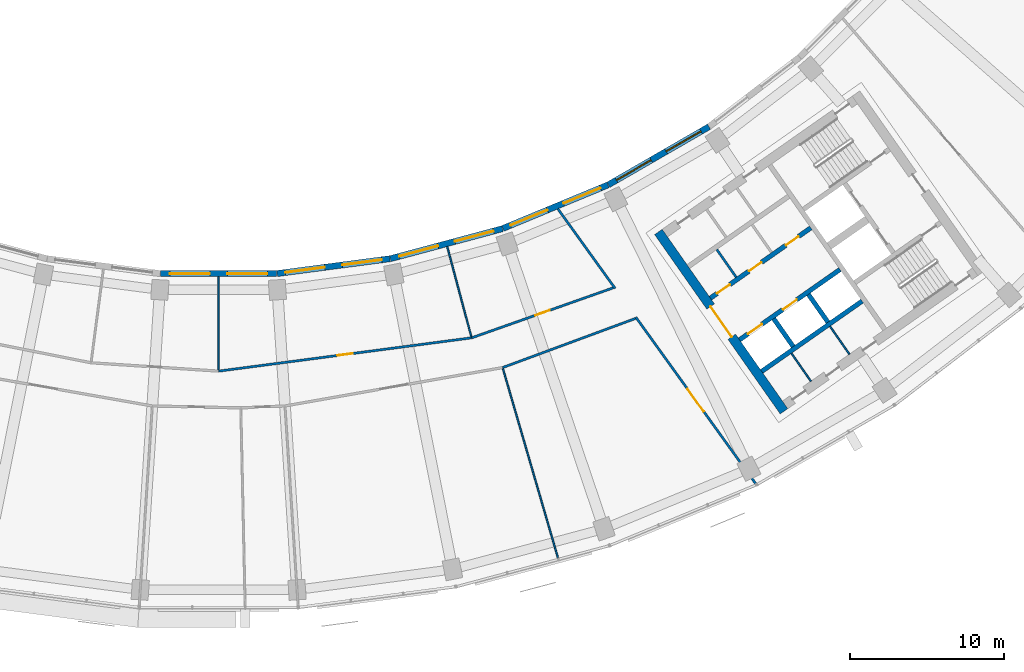
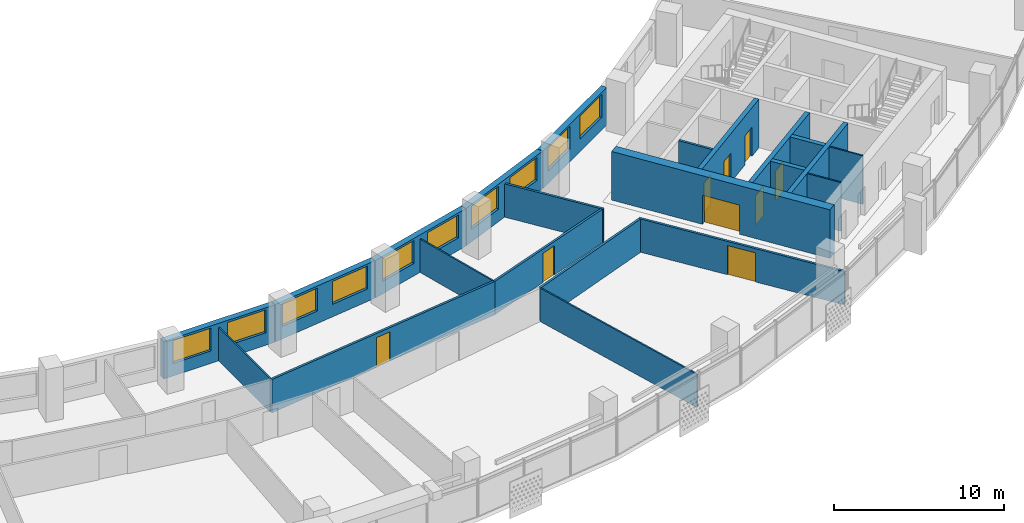
# One storey, part 6 of 27: 22 walls, 10 windows, 9 doors, 19 openings.
"""IFC4 building model written with IfcOpenShell, lengths in metres."""

from ifc_helpers import new_model, si_unit, direction, frame, frame_2d, origin, place, context, subcontext, project, spatial, rectangle, extrude, material, layer, layer_set, type_object, element, fill, save


model = new_model("IFC4")

# Units and contexts
model_context = context("Model", 3, precision=1e-05, world=origin(), true_north=direction((0.0, 1.0)))
body_context = subcontext(model_context, "Body", "Model", "MODEL_VIEW")
ifc_project = project(units=[si_unit("LENGTHUNIT", "METRE"), si_unit("AREAUNIT", "SQUARE_METRE"), si_unit("VOLUMEUNIT", "CUBIC_METRE"), si_unit("PLANEANGLEUNIT", "RADIAN"), si_unit("MASSUNIT", "GRAM", prefix="KILO")], contexts=[model_context])

# Site, building, storey
site_placement = place(None, origin())
site = spatial("IfcSite", under=ifc_project, at=site_placement, CompositionType="ELEMENT")
building_placement = place(site_placement, origin())
building = spatial("IfcBuilding", under=site, at=building_placement, Name="Qamariyya Broadcast Tower", CompositionType="ELEMENT")
storey_placement = place(building_placement, frame((0.0, 0.0, 175.89990234375)))
storey = spatial("IfcBuildingStorey", under=building, at=storey_placement, Name="L41", CompositionType="ELEMENT", Elevation=175.89990234375)

# Wall, opening, door
ifc_material_1 = material(Name="Concrete C60/75", Category="concrete")
ifc_layer_1 = layer(ifc_material_1, 0.60009765625)
ifc_layer_set_1 = layer_set([ifc_layer_1], Name="Core wall 600 mm Concrete C60/75")
wall_type_1 = type_object("IfcWallType", Name="Core wall 600 mm Concrete C60/75", PredefinedType="SHEAR", material=ifc_layer_set_1)
wall_1_placement = place(storey_placement, frame((36.66748046875, -66.005126953125, 0.0), z_axis=(0.0, 0.0, 1.0), x_axis=(-0.573568499524, 0.819157601658, 0.0)))
wall_1 = element("IfcWall", 1, at=wall_1_placement, inside=storey, type_object=wall_type_1, Name="k-E-L41-WA", PredefinedType="SHEAR", context=body_context, shape_type="SweptSolid", body=[
    extrude(rectangle(XDim=14.19970703125, YDim=0.60009765625, at=frame_2d((7.099853515625, 0.0))), origin(), (0.0, 0.0, 1.0), 3.5),
])
opening_1_placement = place(wall_1_placement, frame((5.89990234375, 0.0, 0.0)))
opening_1 = element("IfcOpeningElement", 2, at=opening_1_placement, cuts=wall_1, Name="Opening KD3-E1", PredefinedType="OPENING", context=body_context, shape_type="SweptSolid", body=[
    extrude(rectangle(XDim=2.39990234375, YDim=2.10009765625, at=frame_2d((1.199951171875, 1.050048828125))), frame((0.0, 0.31005859375, 0.0), z_axis=(0.0, -1.0, 0.0), x_axis=(1.0, 0.0, 0.0)), (0.0, 0.0, 1.0), 0.6201171875),
])
ifc_material_2 = material(Name="Steel fire-resisting door leaf", Category="steel")
door_type_1 = type_object("IfcDoorType", Name="Lift lobby door KD3", OperationType="DOUBLE_DOOR_SINGLE_SWING", PredefinedType="DOOR", material=ifc_material_2)
door_1_placement = place(opening_1_placement, origin())
door_1 = element("IfcDoor", 3, at=door_1_placement, inside=storey, type_object=door_type_1, Name="k-E-L41-WA-D1", OperationType="DOUBLE_DOOR_SINGLE_SWING", OverallHeight=2.10009765625, OverallWidth=2.39990234375, PredefinedType="DOOR", context=body_context, shape_type="SweptSolid", body=[
    extrude(rectangle(XDim=2.39990234375, YDim=2.10009765625, at=frame_2d((1.199951171875, 1.050048828125))), frame((0.0, 0.02490234375, 0.0), z_axis=(0.0, -1.0, 0.0), x_axis=(1.0, 0.0, 0.0)), (0.0, 0.0, 1.0), 0.050048828125),
])
fill(opening_1, door_1)

ifc_material_3 = material(Name="Gypsum board partition")
ifc_layer_2 = layer(ifc_material_3, 0.14990234375)
ifc_layer_set_2 = layer_set([ifc_layer_2], Name="Corridor partition 150 EI 60")
wall_type_2 = type_object("IfcWallType", Name="Corridor partition 150 EI 60", PredefinedType="PARTITIONING", material=ifc_layer_set_2)
wall_2_placement = place(storey_placement, frame((0.0, -63.39990234375, 0.0), z_axis=(0.0, 0.0, 1.0), x_axis=(0.991446059502, 0.130517091211, 0.0)))
wall_2 = element("IfcWall", 4, at=wall_2_placement, inside=storey, type_object=wall_type_2, Name="Partition L41-015", PredefinedType="PARTITIONING", context=body_context, shape_type="SweptSolid", body=[
    extrude(rectangle(XDim=16.55078125, YDim=0.14990234375, at=frame_2d((8.275390625, 0.0))), origin(), (0.0, 0.0, 1.0), 2.400146484375),
])
opening_2_placement = place(wall_2_placement, frame((7.775390625, 0.0, 0.0)))
opening_2 = element("IfcOpeningElement", 5, at=opening_2_placement, cuts=wall_2, Name="Opening L41-D10", PredefinedType="OPENING", context=body_context, shape_type="SweptSolid", body=[
    extrude(rectangle(XDim=1.0, YDim=2.10009765625, at=frame_2d((0.5, 1.050048828125))), frame((0.0, 0.0849609375, 0.0), z_axis=(0.0, -1.0, 0.0), x_axis=(1.0, 0.0, 0.0)), (0.0, 0.0, 1.0), 0.169921875),
])
ifc_material_4 = material(Name="Timber fire door leaf", Category="wood")
door_type_2 = type_object("IfcDoorType", Name="Fire door 1000 x 2100 FD60", OperationType="NOTDEFINED", PredefinedType="DOOR", material=ifc_material_4)
door_2_placement = place(opening_2_placement, origin())
door_2 = element("IfcDoor", 6, at=door_2_placement, inside=storey, type_object=door_type_2, Name="Door L41-D10", OperationType="SINGLE_SWING_RIGHT", OverallHeight=2.10009765625, OverallWidth=1.0, PredefinedType="DOOR", context=body_context, shape_type="SweptSolid", body=[
    extrude(rectangle(XDim=1.0, YDim=2.10009765625, at=frame_2d((0.5, 1.050048828125))), frame((0.0, 0.02490234375, 0.0), z_axis=(0.0, -1.0, 0.0), x_axis=(1.0, 0.0, 0.0)), (0.0, 0.0, 1.0), 0.050048828125),
])
fill(opening_2, door_2)

wall_3_placement = place(storey_placement, frame((16.4091796875, -61.23974609375, 0.0), z_axis=(0.0, 0.0, 1.0), x_axis=(0.942977382292, 0.332856810785, 0.0)))
wall_3 = element("IfcWall", 7, at=wall_3_placement, inside=storey, type_object=wall_type_2, Name="Partition L41-022", PredefinedType="PARTITIONING", context=body_context, shape_type="SweptSolid", body=[
    extrude(rectangle(XDim=9.744873046875, YDim=0.14990234375, at=frame_2d((4.87255859375, 0.0))), origin(), (0.0, 0.0, 1.0), 2.400146484375),
])
opening_3_placement = place(wall_3_placement, frame((4.37255859375, 0.0, 0.0)))
opening_3 = element("IfcOpeningElement", 8, at=opening_3_placement, cuts=wall_3, Name="Opening L41-D11", PredefinedType="OPENING", context=body_context, shape_type="SweptSolid", body=[
    extrude(rectangle(XDim=1.0, YDim=2.10009765625, at=frame_2d((0.5, 1.050048828125))), frame((0.0, 0.0849609375, 0.0), z_axis=(0.0, -1.0, 0.0), x_axis=(1.0, 0.0, 0.0)), (0.0, 0.0, 1.0), 0.169921875),
])
door_3_placement = place(opening_3_placement, origin())
door_3 = element("IfcDoor", 9, at=door_3_placement, inside=storey, type_object=door_type_2, Name="Door L41-D11", OperationType="SINGLE_SWING_RIGHT", OverallHeight=2.10009765625, OverallWidth=1.0, PredefinedType="DOOR", context=body_context, shape_type="SweptSolid", body=[
    extrude(rectangle(XDim=1.0, YDim=2.10009765625, at=frame_2d((0.5, 1.050048828125))), frame((0.0, 0.02490234375, 0.0), z_axis=(0.0, -1.0, 0.0), x_axis=(1.0, 0.0, 0.0)), (0.0, 0.0, 1.0), 0.050048828125),
])
fill(opening_3, door_3)

# Walls
wall_4_placement = place(storey_placement, frame((18.41455078125, -63.170654296875, 0.0), z_axis=(0.0, 0.0, 1.0), x_axis=(0.93796819355, 0.346721311557, 0.0)))
element("IfcWall", 10, at=wall_4_placement, inside=storey, type_object=wall_type_2, Name="Partition L41-023", PredefinedType="PARTITIONING", context=body_context, shape_type="SweptSolid", body=[
    extrude(rectangle(XDim=9.185546875, YDim=0.14990234375, at=frame_2d((4.5927734375, 0.0))), origin(), (0.0, 0.0, 1.0), 2.400146484375),
])
wall_5_placement = place(storey_placement, frame((22.0, -52.873046875, 0.0), z_axis=(0.0, 0.0, 1.0), x_axis=(0.58417014289, -0.811631224236, 0.0)))
element("IfcWall", 11, at=wall_5_placement, inside=storey, type_object=wall_type_2, Name="Partition L41-024", PredefinedType="PARTITIONING", context=body_context, shape_type="SweptSolid", body=[
    extrude(rectangle(XDim=6.356201171875, YDim=0.14990234375, at=frame_2d((3.17822265625, 0.0))), origin(), (0.0, 0.0, 1.0), 2.400146484375),
])

# Wall, opening, door
wall_6_placement = place(storey_placement, frame((34.823974609375, -70.690673828125, 0.0), z_axis=(0.0, 0.0, 1.0), x_axis=(-0.584166374063, 0.81163393683, 0.0)))
wall_6 = element("IfcWall", 12, at=wall_6_placement, inside=storey, type_object=wall_type_2, Name="Partition L41-026", PredefinedType="PARTITIONING", context=body_context, shape_type="SweptSolid", body=[
    extrude(rectangle(XDim=13.296142578125, YDim=0.14990234375, at=frame_2d((6.64794921875, 0.0))), origin(), (0.0, 0.0, 1.0), 2.400146484375),
])
opening_4_placement = place(wall_6_placement, frame((5.748046875, 0.0, 0.0)))
opening_4 = element("IfcOpeningElement", 13, at=opening_4_placement, cuts=wall_6, Name="Opening L41-D07", PredefinedType="OPENING", context=body_context, shape_type="SweptSolid", body=[
    extrude(rectangle(XDim=1.800048828125, YDim=2.10009765625, at=frame_2d((0.89990234375, 1.050048828125))), frame((0.0, 0.0849609375, 0.0), z_axis=(0.0, -1.0, 0.0), x_axis=(1.0, 0.0, 0.0)), (0.0, 0.0, 1.0), 0.169921875),
])
door_type_3 = type_object("IfcDoorType", Name="Double fire door 1800 x 2100 FD60", OperationType="NOTDEFINED", PredefinedType="DOOR", material=ifc_material_4)
door_4_placement = place(opening_4_placement, origin())
door_4 = element("IfcDoor", 14, at=door_4_placement, inside=storey, type_object=door_type_3, Name="Door L41-D07", OperationType="DOUBLE_DOOR_SINGLE_SWING", OverallHeight=2.10009765625, OverallWidth=1.800048828125, PredefinedType="DOOR", context=body_context, shape_type="SweptSolid", body=[
    extrude(rectangle(XDim=1.800048828125, YDim=2.10009765625, at=frame_2d((0.89990234375, 1.050048828125))), frame((0.0, 0.02490234375, 0.0), z_axis=(0.0, -1.0, 0.0), x_axis=(1.0, 0.0, 0.0)), (0.0, 0.0, 1.0), 0.050048828125),
])
fill(opening_4, door_4)

# Wall
ifc_material_5 = material(Name="Gypsum board partition on steel studs", Category="steel")
ifc_layer_3 = layer(ifc_material_5, 0.14990234375)
ifc_layer_set_3 = layer_set([ifc_layer_3], Name="Gypsum board partition 150 mm")
wall_type_3 = type_object("IfcWallType", Name="Gypsum board partition 150 mm", PredefinedType="PARTITIONING", material=ifc_layer_set_3)
wall_7_placement = place(storey_placement, frame((33.569580078125, -57.3095703125, 0.0), z_axis=(0.0, 0.0, 1.0), x_axis=(-0.573507030513, 0.819200638399, 0.0)))
element("IfcWall", 15, at=wall_7_placement, inside=storey, type_object=wall_type_3, Name="k-E-L41-NC215", PredefinedType="PARTITIONING", context=body_context, shape_type="SweptSolid", body=[
    extrude(rectangle(XDim=2.199951171875, YDim=0.14990234375, at=frame_2d((1.10009765625, 0.0))), origin(), (0.0, 0.0, 1.0), 3.5),
])

# Wall, openings, doors
ifc_layer_4 = layer(ifc_material_1, 0.300048828125)
ifc_layer_set_4 = layer_set([ifc_layer_4], Name="Lift shaft wall 300 mm Concrete C60/75")
wall_type_4 = type_object("IfcWallType", Name="Lift shaft wall 300 mm Concrete C60/75", PredefinedType="SOLIDWALL", material=ifc_layer_set_4)
wall_8_placement = place(storey_placement, frame((31.89453125, -58.66552734375, 0.0), z_axis=(0.0, 0.0, 1.0), x_axis=(0.819166993208, 0.573555086491, 0.0)))
wall_8 = element("IfcWall", 16, at=wall_8_placement, inside=storey, type_object=wall_type_4, Name="k-E-L41-NF0", PredefinedType="SOLIDWALL", context=body_context, shape_type="SweptSolid", body=[
    extrude(rectangle(XDim=7.9501953125, YDim=0.300048828125, at=frame_2d((3.97509765625, 0.0))), origin(), (0.0, 0.0, 1.0), 3.5),
])
opening_5_placement = place(wall_8_placement, frame((0.53759765625, 0.0, 0.0)))
opening_5 = element("IfcOpeningElement", 17, at=opening_5_placement, cuts=wall_8, Name="Opening KD6-E1", PredefinedType="OPENING", context=body_context, shape_type="SweptSolid", body=[
    extrude(rectangle(XDim=1.0, YDim=2.10009765625, at=frame_2d((0.5, 1.050048828125))), frame((0.0, 0.159912109375, 0.0), z_axis=(0.0, -1.0, 0.0), x_axis=(1.0, 0.0, 0.0)), (0.0, 0.0, 1.0), 0.320068359375),
])
opening_6_placement = place(wall_8_placement, frame((3.050048828125, 0.0, 0.0)))
opening_6 = element("IfcOpeningElement", 18, at=opening_6_placement, cuts=wall_8, Name="Opening KD6-E2", PredefinedType="OPENING", context=body_context, shape_type="SweptSolid", body=[
    extrude(rectangle(XDim=1.0, YDim=2.10009765625, at=frame_2d((0.5, 1.050048828125))), frame((0.0, 0.159912109375, 0.0), z_axis=(0.0, -1.0, 0.0), x_axis=(1.0, 0.0, 0.0)), (0.0, 0.0, 1.0), 0.320068359375),
])
opening_7_placement = place(wall_8_placement, frame((5.987548828125, 0.0, 0.0)))
opening_7 = element("IfcOpeningElement", 19, at=opening_7_placement, cuts=wall_8, Name="Opening KD4-E1", PredefinedType="OPENING", context=body_context, shape_type="SweptSolid", body=[
    extrude(rectangle(XDim=1.0, YDim=2.10009765625, at=frame_2d((0.5, 1.050048828125))), frame((0.0, 0.159912109375, 0.0), z_axis=(0.0, -1.0, 0.0), x_axis=(1.0, 0.0, 0.0)), (0.0, 0.0, 1.0), 0.320068359375),
])
door_type_4 = type_object("IfcDoorType", Name="Core room door KD6", OperationType="SINGLE_SWING_LEFT", PredefinedType="DOOR", material=ifc_material_2)
door_5_placement = place(opening_5_placement, origin())
door_5 = element("IfcDoor", 20, at=door_5_placement, inside=storey, type_object=door_type_4, Name="k-E-L41-NF0-D2", OperationType="SINGLE_SWING_RIGHT", OverallHeight=2.10009765625, OverallWidth=1.0, PredefinedType="DOOR", context=body_context, shape_type="SweptSolid", body=[
    extrude(rectangle(XDim=1.0, YDim=2.10009765625, at=frame_2d((0.5, 1.050048828125))), frame((0.0, 0.02490234375, 0.0), z_axis=(0.0, -1.0, 0.0), x_axis=(1.0, 0.0, 0.0)), (0.0, 0.0, 1.0), 0.050048828125),
])
fill(opening_5, door_5)
door_6_placement = place(opening_6_placement, origin())
door_6 = element("IfcDoor", 21, at=door_6_placement, inside=storey, type_object=door_type_4, Name="k-E-L41-NF0-D3", OperationType="SINGLE_SWING_LEFT", OverallHeight=2.10009765625, OverallWidth=1.0, PredefinedType="DOOR", context=body_context, shape_type="SweptSolid", body=[
    extrude(rectangle(XDim=1.0, YDim=2.10009765625, at=frame_2d((0.5, 1.050048828125))), frame((0.0, 0.02490234375, 0.0), z_axis=(0.0, -1.0, 0.0), x_axis=(1.0, 0.0, 0.0)), (0.0, 0.0, 1.0), 0.050048828125),
])
fill(opening_6, door_6)
door_type_5 = type_object("IfcDoorType", Name="Riser and plant door KD4", OperationType="SINGLE_SWING_LEFT", PredefinedType="DOOR", material=ifc_material_2)
door_7_placement = place(opening_7_placement, origin())
door_7 = element("IfcDoor", 22, at=door_7_placement, inside=storey, type_object=door_type_5, Name="k-E-L41-NF0-D4", OperationType="SINGLE_SWING_RIGHT", OverallHeight=2.10009765625, OverallWidth=1.0, PredefinedType="DOOR", context=body_context, shape_type="SweptSolid", body=[
    extrude(rectangle(XDim=1.0, YDim=2.10009765625, at=frame_2d((0.5, 1.050048828125))), frame((0.0, 0.02490234375, 0.0), z_axis=(0.0, -1.0, 0.0), x_axis=(1.0, 0.0, 0.0)), (0.0, 0.0, 1.0), 0.050048828125),
])
fill(opening_7, door_7)

wall_9_placement = place(storey_placement, frame((33.787353515625, -61.368896484375, 0.0), z_axis=(0.0, 0.0, 1.0), x_axis=(0.819152564888, 0.573575692858, 0.0)))
wall_9 = element("IfcWall", 23, at=wall_9_placement, inside=storey, type_object=wall_type_4, Name="k-E-L41-SF0", PredefinedType="SOLIDWALL", context=body_context, shape_type="SweptSolid", body=[
    extrude(rectangle(XDim=7.9501953125, YDim=0.300048828125, at=frame_2d((3.97509765625, 0.0))), origin(), (0.0, 0.0, 1.0), 3.5),
])
opening_8_placement = place(wall_9_placement, frame((0.675048828125, 0.0, 0.0)))
opening_8 = element("IfcOpeningElement", 24, at=opening_8_placement, cuts=wall_9, Name="Opening LD", PredefinedType="OPENING", context=body_context, shape_type="SweptSolid", body=[
    extrude(rectangle(XDim=1.10009765625, YDim=2.10009765625, at=frame_2d((0.550048828125, 1.050048828125))), frame((0.0, 0.159912109375, 0.0), z_axis=(0.0, -1.0, 0.0), x_axis=(1.0, 0.0, 0.0)), (0.0, 0.0, 1.0), 0.320068359375),
])
opening_9_placement = place(wall_9_placement, frame((3.425048828125, 0.0, 0.0)))
opening_9 = element("IfcOpeningElement", 25, at=opening_9_placement, cuts=wall_9, Name="Opening LD", PredefinedType="OPENING", context=body_context, shape_type="SweptSolid", body=[
    extrude(rectangle(XDim=1.10009765625, YDim=2.10009765625, at=frame_2d((0.550048828125, 1.050048828125))), frame((0.0, 0.159912109375, 0.0), z_axis=(0.0, -1.0, 0.0), x_axis=(1.0, 0.0, 0.0)), (0.0, 0.0, 1.0), 0.320068359375),
])
door_type_6 = type_object("IfcDoorType", Name="Lift landing door LD", OperationType="DOUBLE_DOOR_SLIDING", PredefinedType="DOOR", material=ifc_material_2)
door_8_placement = place(opening_8_placement, origin())
door_8 = element("IfcDoor", 26, at=door_8_placement, inside=storey, type_object=door_type_6, Name="k-E-L41-SF0-D5", OperationType="DOUBLE_DOOR_SLIDING", OverallHeight=2.10009765625, OverallWidth=1.10009765625, PredefinedType="DOOR", context=body_context, shape_type="SweptSolid", body=[
    extrude(rectangle(XDim=1.10009765625, YDim=2.10009765625, at=frame_2d((0.550048828125, 1.050048828125))), frame((0.0, 0.02490234375, 0.0), z_axis=(0.0, -1.0, 0.0), x_axis=(1.0, 0.0, 0.0)), (0.0, 0.0, 1.0), 0.050048828125),
])
fill(opening_8, door_8)
door_9_placement = place(opening_9_placement, origin())
door_9 = element("IfcDoor", 27, at=door_9_placement, inside=storey, type_object=door_type_6, Name="k-E-L41-SF0-D6", OperationType="DOUBLE_DOOR_SLIDING", OverallHeight=2.10009765625, OverallWidth=1.10009765625, PredefinedType="DOOR", context=body_context, shape_type="SweptSolid", body=[
    extrude(rectangle(XDim=1.10009765625, YDim=2.10009765625, at=frame_2d((0.550048828125, 1.050048828125))), frame((0.0, 0.02490234375, 0.0), z_axis=(0.0, -1.0, 0.0), x_axis=(1.0, 0.0, 0.0)), (0.0, 0.0, 1.0), 0.050048828125),
])
fill(opening_9, door_9)

# Walls
wall_10_placement = place(storey_placement, frame((35.22119140625, -63.41650390625, 0.0), z_axis=(0.0, 0.0, 1.0), x_axis=(0.819166993208, 0.573555086491, 0.0)))
element("IfcWall", 28, at=wall_10_placement, inside=storey, type_object=wall_type_4, Name="k-E-L41-SB0", PredefinedType="SOLIDWALL", context=body_context, shape_type="SweptSolid", body=[
    extrude(rectangle(XDim=7.9501953125, YDim=0.300048828125, at=frame_2d((3.97509765625, 0.0))), origin(), (0.0, 0.0, 1.0), 3.5),
])
wall_11_placement = place(storey_placement, frame((36.003173828125, -60.000244140625, 0.0), z_axis=(0.0, 0.0, 1.0), x_axis=(0.573581496053, -0.819148501424, 0.0)))
element("IfcWall", 29, at=wall_11_placement, inside=storey, type_object=wall_type_4, Name="k-E-L41-SD0", PredefinedType="SOLIDWALL", context=body_context, shape_type="SweptSolid", body=[
    extrude(rectangle(XDim=2.2001953125, YDim=0.300048828125, at=frame_2d((1.10009765625, 0.0))), origin(), (0.0, 0.0, 1.0), 3.5),
])
wall_12_placement = place(storey_placement, frame((38.255859375, -58.423095703125, 0.0), z_axis=(0.0, 0.0, 1.0), x_axis=(0.573633636671, -0.819111989218, 0.0)))
element("IfcWall", 30, at=wall_12_placement, inside=storey, type_object=wall_type_4, Name="k-E-L41-SD1", PredefinedType="SOLIDWALL", context=body_context, shape_type="SweptSolid", body=[
    extrude(rectangle(XDim=2.199951171875, YDim=0.300048828125, at=frame_2d((1.10009765625, 0.0))), origin(), (0.0, 0.0, 1.0), 3.5),
])
ifc_layer_5 = layer(ifc_material_3, 0.10009765625)
ifc_layer_set_5 = layer_set([ifc_layer_5], Name="Partition 100")
wall_type_5 = type_object("IfcWallType", Name="Partition 100", PredefinedType="PARTITIONING", material=ifc_layer_set_5)
wall_13_placement = place(storey_placement, frame((0.0, -57.278076171875, 0.0), z_axis=(0.0, 0.0, 1.0), x_axis=(0.0, -1.0, 0.0)))
element("IfcWall", 31, at=wall_13_placement, inside=storey, type_object=wall_type_5, Name="Partition L41-016", PredefinedType="PARTITIONING", context=body_context, shape_type="SweptSolid", body=[
    extrude(rectangle(XDim=6.046875, YDim=0.10009765625, at=frame_2d((3.0234375, 0.0))), origin(), (0.0, 0.0, 1.0), 2.400146484375),
])
wall_14_placement = place(storey_placement, frame((14.82470703125, -55.326171875, 0.0), z_axis=(0.0, 0.0, 1.0), x_axis=(0.258793263352, -0.965932734119, 0.0)))
element("IfcWall", 32, at=wall_14_placement, inside=storey, type_object=wall_type_5, Name="Partition L41-021", PredefinedType="PARTITIONING", context=body_context, shape_type="SweptSolid", body=[
    extrude(rectangle(XDim=6.047119140625, YDim=0.10009765625, at=frame_2d((3.0234375, 0.0))), origin(), (0.0, 0.0, 1.0), 2.400146484375),
])
wall_15_placement = place(storey_placement, frame((22.010498046875, -75.507080078125, 0.0), z_axis=(0.0, 0.0, 1.0), x_axis=(-0.279843682865, 0.960045578689, 0.0)))
element("IfcWall", 33, at=wall_15_placement, inside=storey, type_object=wall_type_5, Name="Partition L41-025", PredefinedType="PARTITIONING", context=body_context, shape_type="SweptSolid", body=[
    extrude(rectangle(XDim=12.77490234375, YDim=0.10009765625, at=frame_2d((6.387451171875, 0.0))), origin(), (0.0, 0.0, 1.0), 2.400146484375),
])
ifc_material_6 = material(Name="Fire-rated gypsum shaft liner on steel studs", Category="steel")
ifc_layer_6 = layer(ifc_material_6, 0.10009765625)
ifc_layer_set_6 = layer_set([ifc_layer_6], Name="Riser wall 100 mm")
wall_type_6 = type_object("IfcWallType", Name="Riser wall 100 mm", PredefinedType="PLUMBINGWALL", material=ifc_layer_set_6)
for number, where, z_axis, x_axis, name in (
    (34, (37.150390625, -62.2490234375, 0.0), (0.0, 0.0, 1.0), (0.573633636671, -0.819111989218, 0.0), "k-E-L41-SP225"),
    (35, (39.64892578125, -60.49951171875, 0.0), (0.0, 0.0, 1.0), (0.573507030513, -0.819200638399, 0.0), "k-E-L41-SP530"),
):
    element("IfcWall", number, at=place(storey_placement, frame(where, z_axis=z_axis, x_axis=x_axis)), inside=storey, type_object=wall_type_6, Name=name, PredefinedType="PLUMBINGWALL", context=body_context, shape_type="SweptSolid", body=[
        extrude(rectangle(XDim=2.199951171875, YDim=0.10009765625, at=frame_2d((1.10009765625, 0.0))), origin(), (0.0, 0.0, 1.0), 3.5),
    ])

# Wall, openings, windows
ifc_material_7 = material(Name="Terracotta", Category="masonry")
ifc_layer_7 = layer(ifc_material_7, 0.39990234375)
ifc_layer_set_7 = layer_set([ifc_layer_7], Name="Terracotta clad wall 400")
wall_type_7 = type_object("IfcWallType", Name="Terracotta clad wall 400", PredefinedType="SOLIDWALL", material=ifc_layer_set_7)
wall_16_placement = place(storey_placement, frame((25.252197265625, -51.32080078125, 0.0), z_axis=(0.0, 0.0, 1.0), x_axis=(-0.923867659443, -0.382712095229, 0.0)))
wall_16 = element("IfcWall", 36, at=wall_16_placement, inside=storey, type_object=wall_type_7, Name="e-wl-L41-in100", PredefinedType="SOLIDWALL", context=body_context, shape_type="SweptSolid", body=[
    extrude(rectangle(XDim=7.380859375, YDim=0.39990234375, at=frame_2d((3.6904296875, 0.0))), origin(), (0.0, 0.0, 1.0), 2.7001953125),
])
opening_10_placement = place(wall_16_placement, frame((4.25439453125, 0.0, 0.89990234375)))
opening_10 = element("IfcOpeningElement", 37, at=opening_10_placement, cuts=wall_16, Name="Opening W1", PredefinedType="OPENING", context=body_context, shape_type="SweptSolid", body=[
    extrude(rectangle(XDim=2.60009765625, YDim=1.64990234375, at=frame_2d((1.300048828125, 0.824951171875))), frame((0.0, 0.2099609375, 0.0), z_axis=(0.0, -1.0, 0.0), x_axis=(1.0, 0.0, 0.0)), (0.0, 0.0, 1.0), 0.419921875),
])
opening_11_placement = place(wall_16_placement, frame((0.5263671875, 0.0, 0.89990234375)))
opening_11 = element("IfcOpeningElement", 38, at=opening_11_placement, cuts=wall_16, Name="Opening W1", PredefinedType="OPENING", context=body_context, shape_type="SweptSolid", body=[
    extrude(rectangle(XDim=2.60009765625, YDim=1.64990234375, at=frame_2d((1.300048828125, 0.824951171875))), frame((0.0, 0.2099609375, 0.0), z_axis=(0.0, -1.0, 0.0), x_axis=(1.0, 0.0, 0.0)), (0.0, 0.0, 1.0), 0.419921875),
])
ifc_material_8 = material(Name="Clear low-e double glazed unit in aluminium frame", Category="aluminium")
window_type = type_object("IfcWindowType", Name="Ribbon window 2600 x 1650", PartitioningType="SINGLE_PANEL", PredefinedType="WINDOW", material=ifc_material_8)
window_1_placement = place(opening_10_placement, origin())
window_1 = element("IfcWindow", 39, at=window_1_placement, inside=storey, type_object=window_type, Name="e-w-L41-in10-0", OverallHeight=1.64990234375, OverallWidth=2.60009765625, PartitioningType="SINGLE_PANEL", PredefinedType="WINDOW", context=body_context, shape_type="SweptSolid", body=[
    extrude(rectangle(XDim=2.60009765625, YDim=1.64990234375, at=frame_2d((1.300048828125, 0.824951171875))), frame((0.0, 0.030029296875, 0.0), z_axis=(0.0, -1.0, 0.0), x_axis=(1.0, 0.0, 0.0)), (0.0, 0.0, 1.0), 0.06005859375),
])
fill(opening_10, window_1)
window_2_placement = place(opening_11_placement, origin())
window_2 = element("IfcWindow", 40, at=window_2_placement, inside=storey, type_object=window_type, Name="e-w-L41-in10-1", OverallHeight=1.64990234375, OverallWidth=2.60009765625, PartitioningType="SINGLE_PANEL", PredefinedType="WINDOW", context=body_context, shape_type="SweptSolid", body=[
    extrude(rectangle(XDim=2.60009765625, YDim=1.64990234375, at=frame_2d((1.300048828125, 0.824951171875))), frame((0.0, 0.030029296875, 0.0), z_axis=(0.0, -1.0, 0.0), x_axis=(1.0, 0.0, 0.0)), (0.0, 0.0, 1.0), 0.06005859375),
])
fill(opening_11, window_2)

wall_17_placement = place(storey_placement, frame((31.800537109375, -47.5478515625, 0.0), z_axis=(0.0, 0.0, 1.0), x_axis=(-0.866028517328, -0.499994607145, 0.0)))
wall_17 = element("IfcWall", 41, at=wall_17_placement, inside=storey, type_object=wall_type_7, Name="e-wl-L41-in110", PredefinedType="SOLIDWALL", context=body_context, shape_type="SweptSolid", body=[
    extrude(rectangle(XDim=7.5322265625, YDim=0.39990234375, at=frame_2d((3.76611328125, 0.0))), origin(), (0.0, 0.0, 1.0), 2.7001953125),
])
opening_12_placement = place(wall_17_placement, frame((4.330078125, 0.0, 0.89990234375)))
opening_12 = element("IfcOpeningElement", 42, at=opening_12_placement, cuts=wall_17, Name="Opening W1", PredefinedType="OPENING", context=body_context, shape_type="SweptSolid", body=[
    extrude(rectangle(XDim=2.60009765625, YDim=1.64990234375, at=frame_2d((1.300048828125, 0.824951171875))), frame((0.0, 0.2099609375, 0.0), z_axis=(0.0, -1.0, 0.0), x_axis=(1.0, 0.0, 0.0)), (0.0, 0.0, 1.0), 0.419921875),
])
opening_13_placement = place(wall_17_placement, frame((0.60205078125, 0.0, 0.89990234375)))
opening_13 = element("IfcOpeningElement", 43, at=opening_13_placement, cuts=wall_17, Name="Opening W1", PredefinedType="OPENING", context=body_context, shape_type="SweptSolid", body=[
    extrude(rectangle(XDim=2.60009765625, YDim=1.64990234375, at=frame_2d((1.300048828125, 0.824951171875))), frame((0.0, 0.2099609375, 0.0), z_axis=(0.0, -1.0, 0.0), x_axis=(1.0, 0.0, 0.0)), (0.0, 0.0, 1.0), 0.419921875),
])
window_3_placement = place(opening_12_placement, origin())
window_3 = element("IfcWindow", 44, at=window_3_placement, inside=storey, type_object=window_type, Name="e-w-L41-in11-0", OverallHeight=1.64990234375, OverallWidth=2.60009765625, PartitioningType="SINGLE_PANEL", PredefinedType="WINDOW", context=body_context, shape_type="SweptSolid", body=[
    extrude(rectangle(XDim=2.60009765625, YDim=1.64990234375, at=frame_2d((1.300048828125, 0.824951171875))), frame((0.0, 0.030029296875, 0.0), z_axis=(0.0, -1.0, 0.0), x_axis=(1.0, 0.0, 0.0)), (0.0, 0.0, 1.0), 0.06005859375),
])
fill(opening_12, window_3)
window_4_placement = place(opening_13_placement, origin())
window_4 = element("IfcWindow", 45, at=window_4_placement, inside=storey, type_object=window_type, Name="e-w-L41-in11-1", OverallHeight=1.64990234375, OverallWidth=2.60009765625, PartitioningType="SINGLE_PANEL", PredefinedType="WINDOW", context=body_context, shape_type="SweptSolid", body=[
    extrude(rectangle(XDim=2.60009765625, YDim=1.64990234375, at=frame_2d((1.300048828125, 0.824951171875))), frame((0.0, 0.030029296875, 0.0), z_axis=(0.0, -1.0, 0.0), x_axis=(1.0, 0.0, 0.0)), (0.0, 0.0, 1.0), 0.06005859375),
])
fill(opening_13, window_4)

wall_18_placement = place(storey_placement, frame((3.76611328125, -57.077880859375, 0.0), z_axis=(0.0, 0.0, 1.0), x_axis=(-1.0, 0.0, 0.0)))
wall_18 = element("IfcWall", 46, at=wall_18_placement, inside=storey, type_object=wall_type_7, Name="e-wl-L41-in70", PredefinedType="SOLIDWALL", context=body_context, shape_type="SweptSolid", body=[
    extrude(rectangle(XDim=7.5322265625, YDim=0.39990234375, at=frame_2d((3.76611328125, 0.0))), origin(), (0.0, 0.0, 1.0), 2.7001953125),
])
opening_14_placement = place(wall_18_placement, frame((4.330078125, 0.0, 0.89990234375)))
opening_14 = element("IfcOpeningElement", 47, at=opening_14_placement, cuts=wall_18, Name="Opening W1", PredefinedType="OPENING", context=body_context, shape_type="SweptSolid", body=[
    extrude(rectangle(XDim=2.60009765625, YDim=1.64990234375, at=frame_2d((1.300048828125, 0.824951171875))), frame((0.0, 0.2099609375, 0.0), z_axis=(0.0, -1.0, 0.0), x_axis=(1.0, 0.0, 0.0)), (0.0, 0.0, 1.0), 0.419921875),
])
opening_15_placement = place(wall_18_placement, frame((0.60205078125, 0.0, 0.89990234375)))
opening_15 = element("IfcOpeningElement", 48, at=opening_15_placement, cuts=wall_18, Name="Opening W1", PredefinedType="OPENING", context=body_context, shape_type="SweptSolid", body=[
    extrude(rectangle(XDim=2.60009765625, YDim=1.64990234375, at=frame_2d((1.300048828125, 0.824951171875))), frame((0.0, 0.2099609375, 0.0), z_axis=(0.0, -1.0, 0.0), x_axis=(1.0, 0.0, 0.0)), (0.0, 0.0, 1.0), 0.419921875),
])
window_5_placement = place(opening_14_placement, origin())
window_5 = element("IfcWindow", 49, at=window_5_placement, inside=storey, type_object=window_type, Name="e-w-L41-in07-0", OverallHeight=1.64990234375, OverallWidth=2.60009765625, PartitioningType="SINGLE_PANEL", PredefinedType="WINDOW", context=body_context, shape_type="SweptSolid", body=[
    extrude(rectangle(XDim=2.60009765625, YDim=1.64990234375, at=frame_2d((1.300048828125, 0.824951171875))), frame((0.0, 0.030029296875, 0.0), z_axis=(0.0, -1.0, 0.0), x_axis=(1.0, 0.0, 0.0)), (0.0, 0.0, 1.0), 0.06005859375),
])
fill(opening_14, window_5)
window_6_placement = place(opening_15_placement, origin())
window_6 = element("IfcWindow", 50, at=window_6_placement, inside=storey, type_object=window_type, Name="e-w-L41-in07-1", OverallHeight=1.64990234375, OverallWidth=2.60009765625, PartitioningType="SINGLE_PANEL", PredefinedType="WINDOW", context=body_context, shape_type="SweptSolid", body=[
    extrude(rectangle(XDim=2.60009765625, YDim=1.64990234375, at=frame_2d((1.300048828125, 0.824951171875))), frame((0.0, 0.030029296875, 0.0), z_axis=(0.0, -1.0, 0.0), x_axis=(1.0, 0.0, 0.0)), (0.0, 0.0, 1.0), 0.06005859375),
])
fill(opening_15, window_6)

wall_19_placement = place(storey_placement, frame((11.10888671875, -56.10791015625, 0.0), z_axis=(0.0, 0.0, 1.0), x_axis=(-0.99144438474, -0.130529812564, 0.0)))
wall_19 = element("IfcWall", 51, at=wall_19_placement, inside=storey, type_object=wall_type_7, Name="e-wl-L41-in80", PredefinedType="SOLIDWALL", context=body_context, shape_type="SweptSolid", body=[
    extrude(rectangle(XDim=7.380615234375, YDim=0.39990234375, at=frame_2d((3.6904296875, 0.0))), origin(), (0.0, 0.0, 1.0), 2.7001953125),
])
opening_16_placement = place(wall_19_placement, frame((4.25439453125, 0.0, 0.89990234375)))
opening_16 = element("IfcOpeningElement", 52, at=opening_16_placement, cuts=wall_19, Name="Opening W1", PredefinedType="OPENING", context=body_context, shape_type="SweptSolid", body=[
    extrude(rectangle(XDim=2.60009765625, YDim=1.64990234375, at=frame_2d((1.300048828125, 0.824951171875))), frame((0.0, 0.2099609375, 0.0), z_axis=(0.0, -1.0, 0.0), x_axis=(1.0, 0.0, 0.0)), (0.0, 0.0, 1.0), 0.419921875),
])
opening_17_placement = place(wall_19_placement, frame((0.5263671875, 0.0, 0.89990234375)))
opening_17 = element("IfcOpeningElement", 53, at=opening_17_placement, cuts=wall_19, Name="Opening W1", PredefinedType="OPENING", context=body_context, shape_type="SweptSolid", body=[
    extrude(rectangle(XDim=2.60009765625, YDim=1.64990234375, at=frame_2d((1.300048828125, 0.824951171875))), frame((0.0, 0.2099609375, 0.0), z_axis=(0.0, -1.0, 0.0), x_axis=(1.0, 0.0, 0.0)), (0.0, 0.0, 1.0), 0.419921875),
])
window_7_placement = place(opening_16_placement, origin())
window_7 = element("IfcWindow", 54, at=window_7_placement, inside=storey, type_object=window_type, Name="e-w-L41-in08-0", OverallHeight=1.64990234375, OverallWidth=2.60009765625, PartitioningType="SINGLE_PANEL", PredefinedType="WINDOW", context=body_context, shape_type="SweptSolid", body=[
    extrude(rectangle(XDim=2.60009765625, YDim=1.64990234375, at=frame_2d((1.300048828125, 0.824951171875))), frame((0.0, 0.030029296875, 0.0), z_axis=(0.0, -1.0, 0.0), x_axis=(1.0, 0.0, 0.0)), (0.0, 0.0, 1.0), 0.06005859375),
])
fill(opening_16, window_7)
window_8_placement = place(opening_17_placement, origin())
window_8 = element("IfcWindow", 55, at=window_8_placement, inside=storey, type_object=window_type, Name="e-w-L41-in08-1", OverallHeight=1.64990234375, OverallWidth=2.60009765625, PartitioningType="SINGLE_PANEL", PredefinedType="WINDOW", context=body_context, shape_type="SweptSolid", body=[
    extrude(rectangle(XDim=2.60009765625, YDim=1.64990234375, at=frame_2d((1.300048828125, 0.824951171875))), frame((0.0, 0.030029296875, 0.0), z_axis=(0.0, -1.0, 0.0), x_axis=(1.0, 0.0, 0.0)), (0.0, 0.0, 1.0), 0.06005859375),
])
fill(opening_17, window_8)

wall_20_placement = place(storey_placement, frame((18.41064453125, -54.158447265625, 0.0), z_axis=(0.0, 0.0, 1.0), x_axis=(-0.965927073219, -0.258814391452, 0.0)))
wall_20 = element("IfcWall", 56, at=wall_20_placement, inside=storey, type_object=wall_type_7, Name="e-wl-L41-in90", PredefinedType="SOLIDWALL", context=body_context, shape_type="SweptSolid", body=[
    extrude(rectangle(XDim=7.5322265625, YDim=0.39990234375, at=frame_2d((3.76611328125, 0.0))), origin(), (0.0, 0.0, 1.0), 2.7001953125),
])
opening_18_placement = place(wall_20_placement, frame((4.330078125, 0.0, 0.89990234375)))
opening_18 = element("IfcOpeningElement", 57, at=opening_18_placement, cuts=wall_20, Name="Opening W1", PredefinedType="OPENING", context=body_context, shape_type="SweptSolid", body=[
    extrude(rectangle(XDim=2.60009765625, YDim=1.64990234375, at=frame_2d((1.300048828125, 0.824951171875))), frame((0.0, 0.2099609375, 0.0), z_axis=(0.0, -1.0, 0.0), x_axis=(1.0, 0.0, 0.0)), (0.0, 0.0, 1.0), 0.419921875),
])
opening_19_placement = place(wall_20_placement, frame((0.60205078125, 0.0, 0.89990234375)))
opening_19 = element("IfcOpeningElement", 58, at=opening_19_placement, cuts=wall_20, Name="Opening W1", PredefinedType="OPENING", context=body_context, shape_type="SweptSolid", body=[
    extrude(rectangle(XDim=2.60009765625, YDim=1.64990234375, at=frame_2d((1.300048828125, 0.824951171875))), frame((0.0, 0.2099609375, 0.0), z_axis=(0.0, -1.0, 0.0), x_axis=(1.0, 0.0, 0.0)), (0.0, 0.0, 1.0), 0.419921875),
])
window_9_placement = place(opening_18_placement, origin())
window_9 = element("IfcWindow", 59, at=window_9_placement, inside=storey, type_object=window_type, Name="e-w-L41-in09-0", OverallHeight=1.64990234375, OverallWidth=2.60009765625, PartitioningType="SINGLE_PANEL", PredefinedType="WINDOW", context=body_context, shape_type="SweptSolid", body=[
    extrude(rectangle(XDim=2.60009765625, YDim=1.64990234375, at=frame_2d((1.300048828125, 0.824951171875))), frame((0.0, 0.030029296875, 0.0), z_axis=(0.0, -1.0, 0.0), x_axis=(1.0, 0.0, 0.0)), (0.0, 0.0, 1.0), 0.06005859375),
])
fill(opening_18, window_9)
window_10_placement = place(opening_19_placement, origin())
window_10 = element("IfcWindow", 60, at=window_10_placement, inside=storey, type_object=window_type, Name="e-w-L41-in09-1", OverallHeight=1.64990234375, OverallWidth=2.60009765625, PartitioningType="SINGLE_PANEL", PredefinedType="WINDOW", context=body_context, shape_type="SweptSolid", body=[
    extrude(rectangle(XDim=2.60009765625, YDim=1.64990234375, at=frame_2d((1.300048828125, 0.824951171875))), frame((0.0, 0.030029296875, 0.0), z_axis=(0.0, -1.0, 0.0), x_axis=(1.0, 0.0, 0.0)), (0.0, 0.0, 1.0), 0.06005859375),
])
fill(opening_19, window_10)

save(model, "model.ifc")
